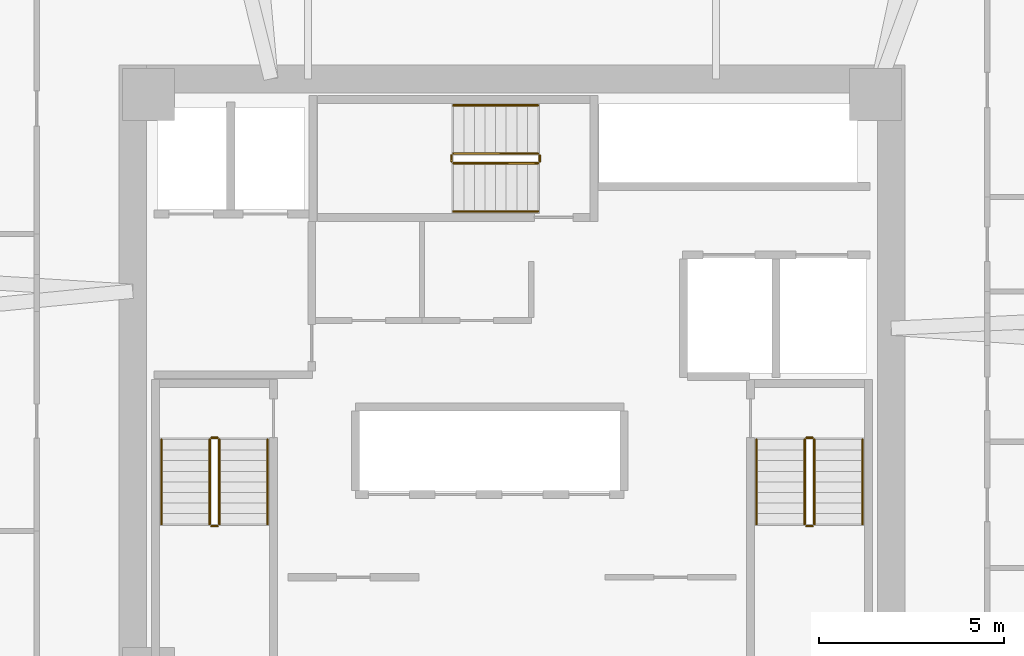
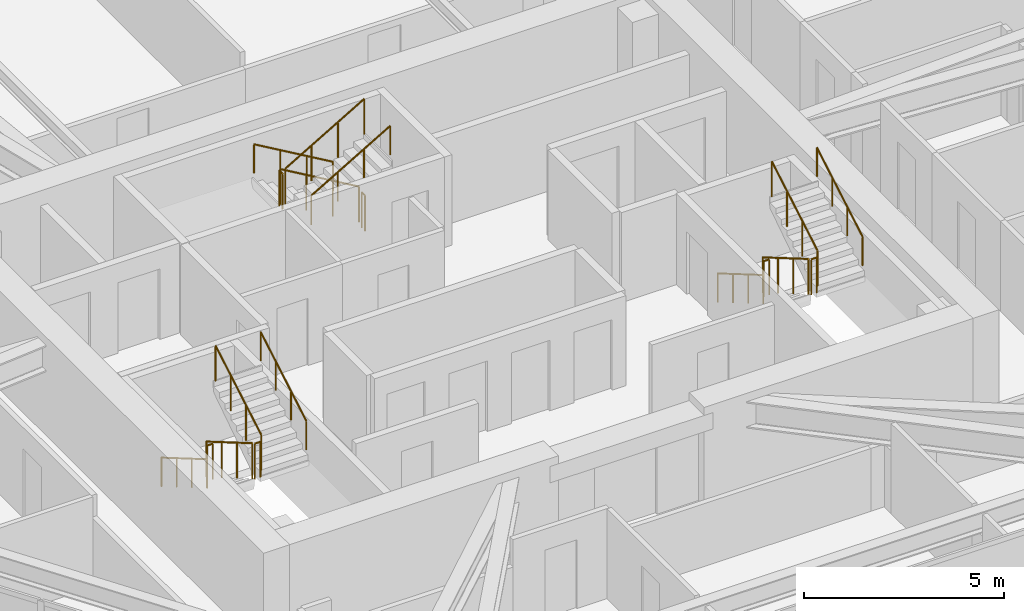
# One storey, part 17 of 17: 18 railings.
"""IFC4 building model written with IfcOpenShell, lengths in metres."""

from ifc_helpers import new_model, si_unit, direction, frame, origin, origin_2d, place, context, subcontext, project, spatial, circle, extrude, material, type_object, element, save


model = new_model("IFC4")

# Units and contexts
model_context = context("Model", 3, precision=1e-05, world=origin(), true_north=direction((0.0, 1.0)))
body_context = subcontext(model_context, "Body", "Model", "MODEL_VIEW")
ifc_project = project(units=[si_unit("LENGTHUNIT", "METRE"), si_unit("AREAUNIT", "SQUARE_METRE"), si_unit("VOLUMEUNIT", "CUBIC_METRE"), si_unit("PLANEANGLEUNIT", "RADIAN"), si_unit("MASSUNIT", "GRAM", prefix="KILO")], contexts=[model_context])

# Site, building, storey
site_placement = place(None, origin())
site = spatial("IfcSite", under=ifc_project, at=site_placement, CompositionType="ELEMENT")
building_placement = place(site_placement, origin())
building = spatial("IfcBuilding", under=site, at=building_placement, Name="Durnholm Broadcast Tower", CompositionType="ELEMENT")
storey_placement = place(building_placement, frame((0.0, 0.0, 143.10009765625)))
storey = spatial("IfcBuildingStorey", under=building, at=storey_placement, Name="L39", CompositionType="ELEMENT", Elevation=143.10009765625)

# Railings
ifc_material_1 = material(Name="Painted Tubular Steel Stair Guardrail", Category="steel")
railing_type_1 = type_object("IfcRailingType", Name="RAIL-ST-GRD", PredefinedType="GUARDRAIL", material=ifc_material_1)
railing_1_placement = place(storey_placement, frame((-8.14990234375, -1.5, 0.16650390625)))
element("IfcRailing", 1, at=railing_1_placement, inside=storey, type_object=railing_type_1, Name="L39 ST-1 stair guard 1", PredefinedType="GUARDRAIL", context=body_context, shape_type="SweptSolid", body=[
    extrude(circle(Radius=0.02392578125, at=origin_2d()), frame((0.0, 0.0, 1.076171875), z_axis=(0.0, -0.863205083432, 0.504853428173), x_axis=(1.0, 0.0, 0.0)), (0.0, 0.0, 1.0), 2.641357421875),
    extrude(circle(Radius=0.02099609375, at=origin_2d()), origin(), (0.0, 0.0, 1.0), 1.052001953125),
    extrude(circle(Radius=0.02099609375, at=origin_2d()), frame((0.0, -0.760009765625, 0.444580078125)), (0.0, 0.0, 1.0), 1.052001953125),
    extrude(circle(Radius=0.02099609375, at=origin_2d()), frame((0.0, -1.52001953125, 0.888916015625)), (0.0, 0.0, 1.0), 1.052001953125),
    extrude(circle(Radius=0.02099609375, at=origin_2d()), frame((0.0, -2.280029296875, 1.33349609375)), (0.0, 0.0, 1.0), 1.052001953125),
])
railing_2_placement = place(storey_placement, frame((-8.10009765625, -3.830078125, 1.5)))
element("IfcRailing", 2, at=railing_2_placement, inside=storey, type_object=railing_type_1, Name="L39 ST-1 stair guard 2", PredefinedType="GUARDRAIL", context=body_context, shape_type="SweptSolid", body=[
    extrude(circle(Radius=0.02392578125, at=origin_2d()), frame((0.0, 0.0, 1.076171875), z_axis=(1.0, 0.0, 0.0), x_axis=(0.0, 1.0, 0.0)), (0.0, 0.0, 1.0), 0.16015625),
    extrude(circle(Radius=0.02099609375, at=origin_2d()), origin(), (0.0, 0.0, 1.0), 1.052001953125),
    extrude(circle(Radius=0.02099609375, at=origin_2d()), frame((0.16015625, 0.0, 0.0)), (0.0, 0.0, 1.0), 1.052001953125),
])
railing_3_placement = place(storey_placement, frame((-7.889892578125, -3.780029296875, 1.66650390625)))
element("IfcRailing", 3, at=railing_3_placement, inside=storey, type_object=railing_type_1, Name="L39 ST-1 stair guard 3", PredefinedType="GUARDRAIL", context=body_context, shape_type="SweptSolid", body=[
    extrude(circle(Radius=0.02392578125, at=origin_2d()), frame((0.0, 0.0, 1.076171875), z_axis=(0.0, 0.863205083432, 0.504853428173), x_axis=(-1.0, 0.0, 0.0)), (0.0, 0.0, 1.0), 2.641357421875),
    extrude(circle(Radius=0.02099609375, at=origin_2d()), origin(), (0.0, 0.0, 1.0), 1.052001953125),
    extrude(circle(Radius=0.02099609375, at=origin_2d()), frame((0.0, 0.760009765625, 0.444580078125)), (0.0, 0.0, 1.0), 1.052001953125),
    extrude(circle(Radius=0.02099609375, at=origin_2d()), frame((0.0, 1.52001953125, 0.888916015625)), (0.0, 0.0, 1.0), 1.052001953125),
    extrude(circle(Radius=0.02099609375, at=origin_2d()), frame((0.0, 2.280029296875, 1.33349609375)), (0.0, 0.0, 1.0), 1.052001953125),
])
railing_4_placement = place(storey_placement, frame((-8.10009765625, -1.449951171875, 0.0)))
element("IfcRailing", 4, at=railing_4_placement, inside=storey, type_object=railing_type_1, Name="L39 ST-1 stair guard 4", PredefinedType="GUARDRAIL", context=body_context, shape_type="SweptSolid", body=[
    extrude(circle(Radius=0.02392578125, at=origin_2d()), frame((0.0, 0.0, 1.076171875), z_axis=(1.0, 0.0, 0.0), x_axis=(0.0, 1.0, 0.0)), (0.0, 0.0, 1.0), 0.16015625),
    extrude(circle(Radius=0.02099609375, at=origin_2d()), origin(), (0.0, 0.0, 1.0), 1.052001953125),
    extrude(circle(Radius=0.02099609375, at=origin_2d()), frame((0.16015625, 0.0, 0.0)), (0.0, 0.0, 1.0), 1.052001953125),
])
railing_5_placement = place(storey_placement, frame((7.889892578125, -1.5, 0.16650390625)))
element("IfcRailing", 5, at=railing_5_placement, inside=storey, type_object=railing_type_1, Name="L39 ST-2 stair guard 1", PredefinedType="GUARDRAIL", context=body_context, shape_type="SweptSolid", body=[
    extrude(circle(Radius=0.02392578125, at=origin_2d()), frame((0.0, 0.0, 1.076171875), z_axis=(0.0, -0.863205083432, 0.504853428173), x_axis=(1.0, 0.0, 0.0)), (0.0, 0.0, 1.0), 2.641357421875),
    extrude(circle(Radius=0.02099609375, at=origin_2d()), origin(), (0.0, 0.0, 1.0), 1.052001953125),
    extrude(circle(Radius=0.02099609375, at=origin_2d()), frame((0.0, -0.760009765625, 0.444580078125)), (0.0, 0.0, 1.0), 1.052001953125),
    extrude(circle(Radius=0.02099609375, at=origin_2d()), frame((0.0, -1.52001953125, 0.888916015625)), (0.0, 0.0, 1.0), 1.052001953125),
    extrude(circle(Radius=0.02099609375, at=origin_2d()), frame((0.0, -2.280029296875, 1.33349609375)), (0.0, 0.0, 1.0), 1.052001953125),
])
railing_6_placement = place(storey_placement, frame((7.93994140625, -3.830078125, 1.5)))
element("IfcRailing", 6, at=railing_6_placement, inside=storey, type_object=railing_type_1, Name="L39 ST-2 stair guard 2", PredefinedType="GUARDRAIL", context=body_context, shape_type="SweptSolid", body=[
    extrude(circle(Radius=0.02392578125, at=origin_2d()), frame((0.0, 0.0, 1.076171875), z_axis=(1.0, 0.0, 0.0), x_axis=(0.0, 1.0, 0.0)), (0.0, 0.0, 1.0), 0.16015625),
    extrude(circle(Radius=0.02099609375, at=origin_2d()), origin(), (0.0, 0.0, 1.0), 1.052001953125),
    extrude(circle(Radius=0.02099609375, at=origin_2d()), frame((0.16015625, 0.0, 0.0)), (0.0, 0.0, 1.0), 1.052001953125),
])
railing_7_placement = place(storey_placement, frame((8.14990234375, -3.780029296875, 1.66650390625)))
element("IfcRailing", 7, at=railing_7_placement, inside=storey, type_object=railing_type_1, Name="L39 ST-2 stair guard 3", PredefinedType="GUARDRAIL", context=body_context, shape_type="SweptSolid", body=[
    extrude(circle(Radius=0.02392578125, at=origin_2d()), frame((0.0, 0.0, 1.076171875), z_axis=(0.0, 0.863205083432, 0.504853428173), x_axis=(-1.0, 0.0, 0.0)), (0.0, 0.0, 1.0), 2.641357421875),
    extrude(circle(Radius=0.02099609375, at=origin_2d()), origin(), (0.0, 0.0, 1.0), 1.052001953125),
    extrude(circle(Radius=0.02099609375, at=origin_2d()), frame((0.0, 0.760009765625, 0.444580078125)), (0.0, 0.0, 1.0), 1.052001953125),
    extrude(circle(Radius=0.02099609375, at=origin_2d()), frame((0.0, 1.52001953125, 0.888916015625)), (0.0, 0.0, 1.0), 1.052001953125),
    extrude(circle(Radius=0.02099609375, at=origin_2d()), frame((0.0, 2.280029296875, 1.33349609375)), (0.0, 0.0, 1.0), 1.052001953125),
])
railing_8_placement = place(storey_placement, frame((7.93994140625, -1.449951171875, 0.0)))
element("IfcRailing", 8, at=railing_8_placement, inside=storey, type_object=railing_type_1, Name="L39 ST-2 stair guard 4", PredefinedType="GUARDRAIL", context=body_context, shape_type="SweptSolid", body=[
    extrude(circle(Radius=0.02392578125, at=origin_2d()), frame((0.0, 0.0, 1.076171875), z_axis=(1.0, 0.0, 0.0), x_axis=(0.0, 1.0, 0.0)), (0.0, 0.0, 1.0), 0.16015625),
    extrude(circle(Radius=0.02099609375, at=origin_2d()), origin(), (0.0, 0.0, 1.0), 1.052001953125),
    extrude(circle(Radius=0.02099609375, at=origin_2d()), frame((0.16015625, 0.0, 0.0)), (0.0, 0.0, 1.0), 1.052001953125),
])
railing_9_placement = place(storey_placement, frame((0.699951171875, 6.2099609375, 0.16650390625)))
element("IfcRailing", 9, at=railing_9_placement, inside=storey, type_object=railing_type_1, Name="L39 ST-3 stair guard 1", PredefinedType="GUARDRAIL", context=body_context, shape_type="SweptSolid", body=[
    extrude(circle(Radius=0.02392578125, at=origin_2d()), frame((0.0, 0.0, 1.076171875), z_axis=(-0.863205083432, 0.0, 0.504853428173), x_axis=(0.0, -1.0, 0.0)), (0.0, 0.0, 1.0), 2.641357421875),
    extrude(circle(Radius=0.02099609375, at=origin_2d()), origin(), (0.0, 0.0, 1.0), 1.052001953125),
    extrude(circle(Radius=0.02099609375, at=origin_2d()), frame((-0.760009765625, 0.0, 0.444580078125)), (0.0, 0.0, 1.0), 1.052001953125),
    extrude(circle(Radius=0.02099609375, at=origin_2d()), frame((-1.52001953125, 0.0, 0.888916015625)), (0.0, 0.0, 1.0), 1.052001953125),
    extrude(circle(Radius=0.02099609375, at=origin_2d()), frame((-2.280029296875, 0.0, 1.33349609375)), (0.0, 0.0, 1.0), 1.052001953125),
])
railing_10_placement = place(storey_placement, frame((-1.6298828125, 6.159912109375, 1.5)))
element("IfcRailing", 10, at=railing_10_placement, inside=storey, type_object=railing_type_1, Name="L39 ST-3 stair guard 2", PredefinedType="GUARDRAIL", context=body_context, shape_type="SweptSolid", body=[
    extrude(circle(Radius=0.02392578125, at=origin_2d()), frame((0.0, 0.0, 1.076171875), z_axis=(0.0, -1.0, 0.0), x_axis=(1.0, 0.0, 0.0)), (0.0, 0.0, 1.0), 0.159912109375),
    extrude(circle(Radius=0.02099609375, at=origin_2d()), origin(), (0.0, 0.0, 1.0), 1.052001953125),
    extrude(circle(Radius=0.02099609375, at=origin_2d()), frame((0.0, -0.159912109375, 0.0)), (0.0, 0.0, 1.0), 1.052001953125),
])
railing_11_placement = place(storey_placement, frame((-1.580078125, 5.949951171875, 1.66650390625)))
element("IfcRailing", 11, at=railing_11_placement, inside=storey, type_object=railing_type_1, Name="L39 ST-3 stair guard 3", PredefinedType="GUARDRAIL", context=body_context, shape_type="SweptSolid", body=[
    extrude(circle(Radius=0.02392578125, at=origin_2d()), frame((0.0, 0.0, 1.076171875), z_axis=(0.863205083432, 0.0, 0.504853428173), x_axis=(0.0, 1.0, 0.0)), (0.0, 0.0, 1.0), 2.641357421875),
    extrude(circle(Radius=0.02099609375, at=origin_2d()), origin(), (0.0, 0.0, 1.0), 1.052001953125),
    extrude(circle(Radius=0.02099609375, at=origin_2d()), frame((0.760009765625, 0.0, 0.444580078125)), (0.0, 0.0, 1.0), 1.052001953125),
    extrude(circle(Radius=0.02099609375, at=origin_2d()), frame((1.52001953125, 0.0, 0.888916015625)), (0.0, 0.0, 1.0), 1.052001953125),
    extrude(circle(Radius=0.02099609375, at=origin_2d()), frame((2.280029296875, 0.0, 1.33349609375)), (0.0, 0.0, 1.0), 1.052001953125),
])
railing_12_placement = place(storey_placement, frame((0.75, 6.159912109375, 0.0)))
element("IfcRailing", 12, at=railing_12_placement, inside=storey, type_object=railing_type_1, Name="L39 ST-3 stair guard 4", PredefinedType="GUARDRAIL", context=body_context, shape_type="SweptSolid", body=[
    extrude(circle(Radius=0.02392578125, at=origin_2d()), frame((0.0, 0.0, 1.076171875), z_axis=(0.0, -1.0, 0.0), x_axis=(1.0, 0.0, 0.0)), (0.0, 0.0, 1.0), 0.159912109375),
    extrude(circle(Radius=0.02099609375, at=origin_2d()), origin(), (0.0, 0.0, 1.0), 1.052001953125),
    extrude(circle(Radius=0.02099609375, at=origin_2d()), frame((0.0, -0.159912109375, 0.0)), (0.0, 0.0, 1.0), 1.052001953125),
])
ifc_material_2 = material(Name="Brushed Stainless Steel Handrail", Category="steel")
railing_type_2 = type_object("IfcRailingType", Name="RAIL-ST-HND", PredefinedType="HANDRAIL", material=ifc_material_2)
railing_13_placement = place(storey_placement, frame((-9.449951171875, -1.5, 0.333251953125)))
element("IfcRailing", 13, at=railing_13_placement, inside=storey, type_object=railing_type_2, Name="L39 ST-1 stair handrail 1", PredefinedType="HANDRAIL", context=body_context, shape_type="SweptSolid", body=[
    extrude(circle(Radius=0.02392578125, at=origin_2d()), frame((0.0, 0.0, 0.8759765625), z_axis=(0.0, -0.863245362884, 0.504784551527), x_axis=(1.0, 0.0, 0.0)), (0.0, 0.0, 1.0), 2.64111328125),
    extrude(circle(Radius=0.02099609375, at=origin_2d()), origin(), (0.0, 0.0, 1.0), 0.851806640625),
    extrude(circle(Radius=0.02099609375, at=origin_2d()), frame((0.0, -0.760009765625, 0.4443359375)), (0.0, 0.0, 1.0), 0.851806640625),
    extrude(circle(Radius=0.02099609375, at=origin_2d()), frame((0.0, -1.52001953125, 0.888916015625)), (0.0, 0.0, 1.0), 0.851806640625),
    extrude(circle(Radius=0.02099609375, at=origin_2d()), frame((0.0, -2.280029296875, 1.333251953125)), (0.0, 0.0, 1.0), 0.851806640625),
])
railing_14_placement = place(storey_placement, frame((-6.590087890625, -3.780029296875, 1.833251953125)))
element("IfcRailing", 14, at=railing_14_placement, inside=storey, type_object=railing_type_2, Name="L39 ST-1 stair handrail 2", PredefinedType="HANDRAIL", context=body_context, shape_type="SweptSolid", body=[
    extrude(circle(Radius=0.02392578125, at=origin_2d()), frame((0.0, 0.0, 0.8759765625), z_axis=(0.0, 0.863245362884, 0.504784551527), x_axis=(-1.0, 0.0, 0.0)), (0.0, 0.0, 1.0), 2.64111328125),
    extrude(circle(Radius=0.02099609375, at=origin_2d()), origin(), (0.0, 0.0, 1.0), 0.851806640625),
    extrude(circle(Radius=0.02099609375, at=origin_2d()), frame((0.0, 0.760009765625, 0.4443359375)), (0.0, 0.0, 1.0), 0.851806640625),
    extrude(circle(Radius=0.02099609375, at=origin_2d()), frame((0.0, 1.52001953125, 0.888916015625)), (0.0, 0.0, 1.0), 0.851806640625),
    extrude(circle(Radius=0.02099609375, at=origin_2d()), frame((0.0, 2.280029296875, 1.333251953125)), (0.0, 0.0, 1.0), 0.851806640625),
])
railing_15_placement = place(storey_placement, frame((6.590087890625, -1.5, 0.333251953125)))
element("IfcRailing", 15, at=railing_15_placement, inside=storey, type_object=railing_type_2, Name="L39 ST-2 stair handrail 1", PredefinedType="HANDRAIL", context=body_context, shape_type="SweptSolid", body=[
    extrude(circle(Radius=0.02392578125, at=origin_2d()), frame((0.0, 0.0, 0.8759765625), z_axis=(0.0, -0.863245362884, 0.504784551527), x_axis=(1.0, 0.0, 0.0)), (0.0, 0.0, 1.0), 2.64111328125),
    extrude(circle(Radius=0.02099609375, at=origin_2d()), origin(), (0.0, 0.0, 1.0), 0.851806640625),
    extrude(circle(Radius=0.02099609375, at=origin_2d()), frame((0.0, -0.760009765625, 0.4443359375)), (0.0, 0.0, 1.0), 0.851806640625),
    extrude(circle(Radius=0.02099609375, at=origin_2d()), frame((0.0, -1.52001953125, 0.888916015625)), (0.0, 0.0, 1.0), 0.851806640625),
    extrude(circle(Radius=0.02099609375, at=origin_2d()), frame((0.0, -2.280029296875, 1.333251953125)), (0.0, 0.0, 1.0), 0.851806640625),
])
railing_16_placement = place(storey_placement, frame((9.449951171875, -3.780029296875, 1.833251953125)))
element("IfcRailing", 16, at=railing_16_placement, inside=storey, type_object=railing_type_2, Name="L39 ST-2 stair handrail 2", PredefinedType="HANDRAIL", context=body_context, shape_type="SweptSolid", body=[
    extrude(circle(Radius=0.02392578125, at=origin_2d()), frame((0.0, 0.0, 0.8759765625), z_axis=(0.0, 0.863245362884, 0.504784551527), x_axis=(-1.0, 0.0, 0.0)), (0.0, 0.0, 1.0), 2.64111328125),
    extrude(circle(Radius=0.02099609375, at=origin_2d()), origin(), (0.0, 0.0, 1.0), 0.851806640625),
    extrude(circle(Radius=0.02099609375, at=origin_2d()), frame((0.0, 0.760009765625, 0.4443359375)), (0.0, 0.0, 1.0), 0.851806640625),
    extrude(circle(Radius=0.02099609375, at=origin_2d()), frame((0.0, 1.52001953125, 0.888916015625)), (0.0, 0.0, 1.0), 0.851806640625),
    extrude(circle(Radius=0.02099609375, at=origin_2d()), frame((0.0, 2.280029296875, 1.333251953125)), (0.0, 0.0, 1.0), 0.851806640625),
])
railing_17_placement = place(storey_placement, frame((0.699951171875, 7.510009765625, 0.333251953125)))
element("IfcRailing", 17, at=railing_17_placement, inside=storey, type_object=railing_type_2, Name="L39 ST-3 stair handrail 1", PredefinedType="HANDRAIL", context=body_context, shape_type="SweptSolid", body=[
    extrude(circle(Radius=0.02392578125, at=origin_2d()), frame((0.0, 0.0, 0.8759765625), z_axis=(-0.863245362884, 0.0, 0.504784551527), x_axis=(0.0, -1.0, 0.0)), (0.0, 0.0, 1.0), 2.64111328125),
    extrude(circle(Radius=0.02099609375, at=origin_2d()), origin(), (0.0, 0.0, 1.0), 0.851806640625),
    extrude(circle(Radius=0.02099609375, at=origin_2d()), frame((-0.760009765625, 0.0, 0.4443359375)), (0.0, 0.0, 1.0), 0.851806640625),
    extrude(circle(Radius=0.02099609375, at=origin_2d()), frame((-1.52001953125, 0.0, 0.888916015625)), (0.0, 0.0, 1.0), 0.851806640625),
    extrude(circle(Radius=0.02099609375, at=origin_2d()), frame((-2.280029296875, 0.0, 1.333251953125)), (0.0, 0.0, 1.0), 0.851806640625),
])
railing_18_placement = place(storey_placement, frame((-1.580078125, 4.64990234375, 1.833251953125)))
element("IfcRailing", 18, at=railing_18_placement, inside=storey, type_object=railing_type_2, Name="L39 ST-3 stair handrail 2", PredefinedType="HANDRAIL", context=body_context, shape_type="SweptSolid", body=[
    extrude(circle(Radius=0.02392578125, at=origin_2d()), frame((0.0, 0.0, 0.8759765625), z_axis=(0.863245362884, 0.0, 0.504784551527), x_axis=(0.0, 1.0, 0.0)), (0.0, 0.0, 1.0), 2.64111328125),
    extrude(circle(Radius=0.02099609375, at=origin_2d()), origin(), (0.0, 0.0, 1.0), 0.851806640625),
    extrude(circle(Radius=0.02099609375, at=origin_2d()), frame((0.760009765625, 0.0, 0.4443359375)), (0.0, 0.0, 1.0), 0.851806640625),
    extrude(circle(Radius=0.02099609375, at=origin_2d()), frame((1.52001953125, 0.0, 0.888916015625)), (0.0, 0.0, 1.0), 0.851806640625),
    extrude(circle(Radius=0.02099609375, at=origin_2d()), frame((2.280029296875, 0.0, 1.333251953125)), (0.0, 0.0, 1.0), 0.851806640625),
])

save(model, "model.ifc")
